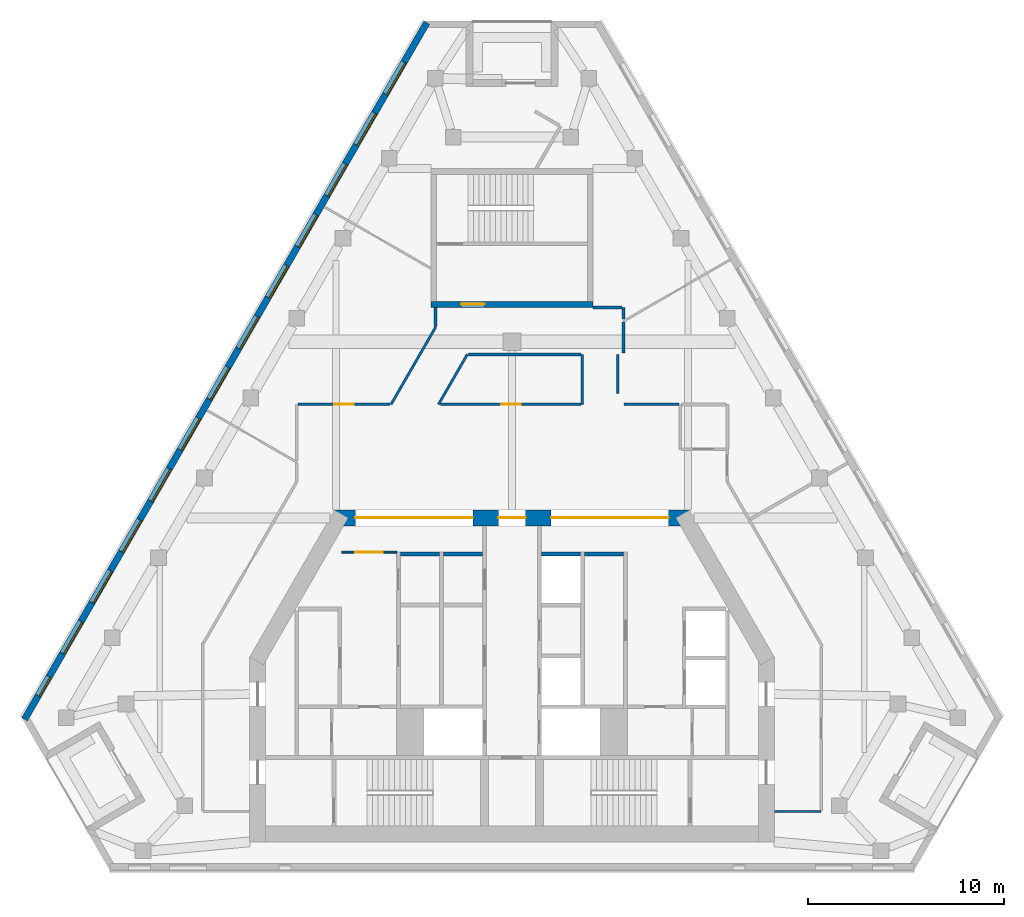
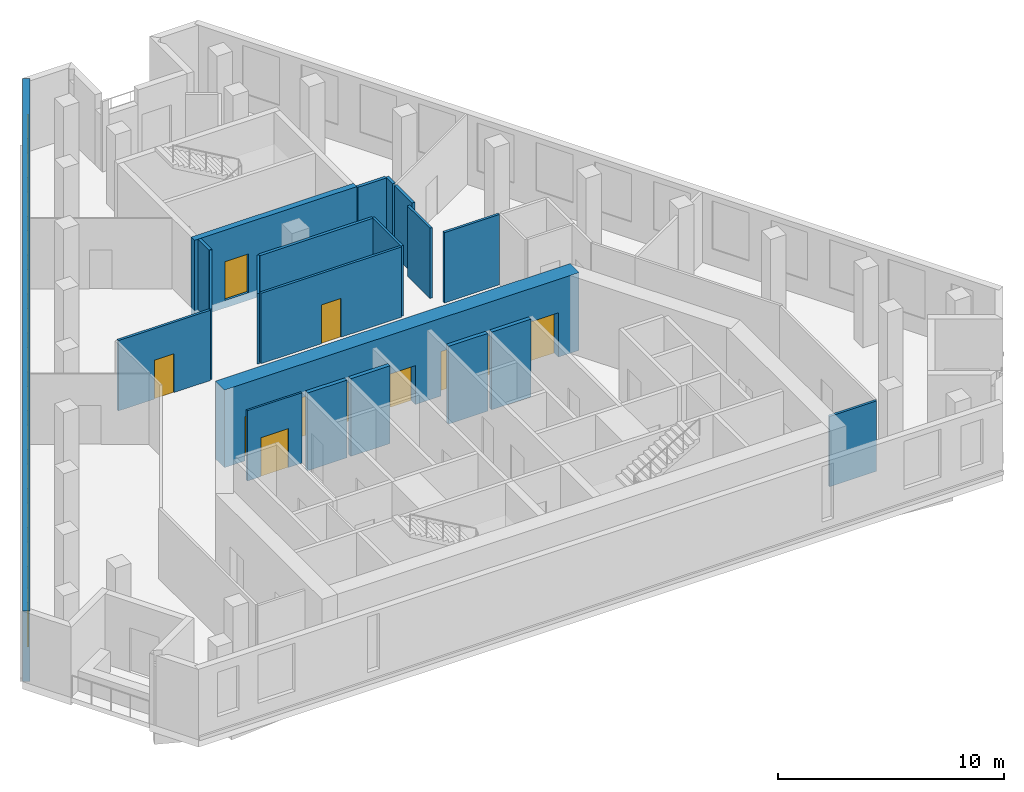
# One storey, part 4 of 8: 21 walls, 13 windows, 7 doors, 20 openings.
"""IFC4 building model written with IfcOpenShell, lengths in metres."""

from ifc_helpers import new_model, si_unit, direction, frame, frame_2d, origin, place, context, subcontext, project, spatial, rectangle, extrude, material, layer, layer_set, type_object, element, fill, save


model = new_model("IFC4")

# Units and contexts
model_context = context("Model", 3, precision=1e-05, world=origin(), true_north=direction((0.0, 1.0)))
body_context = subcontext(model_context, "Body", "Model", "MODEL_VIEW")
ifc_project = project(units=[si_unit("LENGTHUNIT", "METRE"), si_unit("AREAUNIT", "SQUARE_METRE"), si_unit("VOLUMEUNIT", "CUBIC_METRE"), si_unit("PLANEANGLEUNIT", "RADIAN"), si_unit("MASSUNIT", "GRAM", prefix="KILO")], contexts=[model_context])

# Site, building, storey
site_placement = place(None, origin())
site = spatial("IfcSite", under=ifc_project, at=site_placement, CompositionType="ELEMENT")
building_placement = place(site_placement, origin())
building = spatial("IfcBuilding", under=site, at=building_placement, Name="Fogline Exchange Tower", CompositionType="ELEMENT")
storey_placement = place(building_placement, frame((0.0, 0.0, 296.10009765625)))
storey = spatial("IfcBuildingStorey", under=building, at=storey_placement, Name="L67", CompositionType="ELEMENT", Elevation=296.10009765625)

# Wall, opening, door
ifc_material_1 = material(Name="Blockwork partition", Category="masonry")
ifc_layer_1 = layer(ifc_material_1, 0.10009765625)
ifc_layer_set_1 = layer_set([ifc_layer_1], Name="CW10")
wall_type_1 = type_object("IfcWallType", Name="CW10", PredefinedType="PARTITIONING", material=ifc_layer_set_1)
wall_1_placement = place(storey_placement, frame((-8.699951171875, 16.25, 0.0), z_axis=(0.0, 0.0, 1.0), x_axis=(1.0, 0.0, 0.0)))
wall_1 = element("IfcWall", 1, at=wall_1_placement, inside=storey, type_object=wall_type_1, Name="Lift lobby partition", PredefinedType="PARTITIONING", context=body_context, shape_type="SweptSolid", body=[
    extrude(rectangle(XDim=2.800048828125, YDim=0.10009765625, at=frame_2d((1.39990234375, 0.0))), origin(), (0.0, 0.0, 1.0), 3.7998046875),
])
opening_1_placement = place(wall_1_placement, frame((0.699951171875, 0.0, 0.0)))
opening_1 = element("IfcOpeningElement", 2, at=opening_1_placement, cuts=wall_1, Name="Opening T21-C009", PredefinedType="OPENING", context=body_context, shape_type="SweptSolid", body=[
    extrude(rectangle(XDim=1.39990234375, YDim=2.10009765625, at=frame_2d((0.699951171875, 1.050048828125))), frame((0.0, 0.06005859375, 0.0), z_axis=(0.0, -1.0, 0.0), x_axis=(1.0, 0.0, 0.0)), (0.0, 0.0, 1.0), 0.1201171875),
])
ifc_material_2 = material(Name="Steel and timber fire door", Category="steel")
door_type_1 = type_object("IfcDoorType", Name="D-LB1", OperationType="DOUBLE_DOOR_SINGLE_SWING", PredefinedType="DOOR", material=ifc_material_2)
door_1_placement = place(opening_1_placement, origin())
door_1 = element("IfcDoor", 3, at=door_1_placement, inside=storey, type_object=door_type_1, Name="Door to lift lobby", OperationType="DOUBLE_DOOR_SINGLE_SWING", OverallHeight=2.10009765625, OverallWidth=1.39990234375, PredefinedType="DOOR", context=body_context, shape_type="SweptSolid", body=[
    extrude(rectangle(XDim=1.39990234375, YDim=2.10009765625, at=frame_2d((0.699951171875, 1.050048828125))), frame((0.0, 0.02490234375, 0.0), z_axis=(0.0, -1.0, 0.0), x_axis=(1.0, 0.0, 0.0)), (0.0, 0.0, 1.0), 0.050048828125),
])
fill(opening_1, door_1)

# Walls
ifc_material_3 = material(Name="Concrete C40", Category="concrete")
ifc_layer_2 = layer(ifc_material_3, 0.199951171875)
ifc_layer_set_2 = layer_set([ifc_layer_2], Name="CW20S")
wall_type_2 = type_object("IfcWallType", Name="CW20S", PredefinedType="SOLIDWALL", material=ifc_layer_set_2)
for number, where, z_axis, x_axis, name in (
    (4, (-5.699951171875, 16.14990234375, -0.400146484375), (0.0, 0.0, 1.0), (1.0, 0.0, 0.0), "Lift shaft wall"),
    (5, (-3.5, 16.14990234375, -0.400146484375), (0.0, 0.0, 1.0), (1.0, 0.0, 0.0), "Lift shaft wall"),
    (6, (3.699951171875, 16.14990234375, -0.400146484375), (0.0, 0.0, 1.0), (1.0, 0.0, 0.0), "Lift shaft wall"),
    (7, (1.5, 16.14990234375, -0.400146484375), (0.0, 0.0, 1.0), (1.0, 0.0, 0.0), "Lift shaft wall"),
):
    element("IfcWall", number, at=place(storey_placement, frame(where, z_axis=z_axis, x_axis=x_axis)), inside=storey, type_object=wall_type_2, Name=name, PredefinedType="SOLIDWALL", context=body_context, shape_type="SweptSolid", body=[
        extrude(rectangle(XDim=2.0, YDim=0.199951171875, at=frame_2d((1.0, 0.0))), origin(), (0.0, 0.0, 1.0), 4.199951171875),
    ])

# Wall, opening, door
ifc_layer_3 = layer(ifc_material_3, 0.300048828125)
ifc_layer_set_3 = layer_set([ifc_layer_3], Name="CW30")
wall_type_3 = type_object("IfcWallType", Name="CW30", PredefinedType="SOLIDWALL", material=ifc_layer_set_3)
wall_2_placement = place(storey_placement, frame((-4.14990234375, 28.906982421875, -0.400146484375), z_axis=(0.0, 0.0, 1.0), x_axis=(1.0, 0.0, 0.0)))
wall_2 = element("IfcWall", 8, at=wall_2_placement, inside=storey, type_object=wall_type_3, Name="Stair enclosure wall ST3", PredefinedType="SOLIDWALL", context=body_context, shape_type="SweptSolid", body=[
    extrude(rectangle(XDim=8.2998046875, YDim=0.300048828125, at=frame_2d((4.14990234375, 0.0))), origin(), (0.0, 0.0, 1.0), 4.199951171875),
])
opening_2_placement = place(wall_2_placement, frame((1.550048828125, 0.0, 0.39990234375)))
opening_2 = element("IfcOpeningElement", 9, at=opening_2_placement, cuts=wall_2, Name="Opening T21-C023", PredefinedType="OPENING", context=body_context, shape_type="SweptSolid", body=[
    extrude(rectangle(XDim=1.199951171875, YDim=2.10009765625, at=frame_2d((0.60009765625, 1.050048828125))), frame((0.0, 0.16015625, 0.0), z_axis=(0.0, -1.0, 0.0), x_axis=(1.0, 0.0, 0.0)), (0.0, 0.0, 1.0), 0.320068359375),
])
door_type_2 = type_object("IfcDoorType", Name="D-FR1", OperationType="SINGLE_SWING_RIGHT", PredefinedType="DOOR", material=ifc_material_2)
door_2_placement = place(opening_2_placement, origin())
door_2 = element("IfcDoor", 10, at=door_2_placement, inside=storey, type_object=door_type_2, Name="Front room door ST3", OperationType="SINGLE_SWING_LEFT", OverallHeight=2.10009765625, OverallWidth=1.199951171875, PredefinedType="DOOR", context=body_context, shape_type="SweptSolid", body=[
    extrude(rectangle(XDim=1.199951171875, YDim=2.10009765625, at=frame_2d((0.60009765625, 1.050048828125))), frame((0.0, 0.02490234375, 0.0), z_axis=(0.0, -1.0, 0.0), x_axis=(1.0, 0.0, 0.0)), (0.0, 0.0, 1.0), 0.050048828125),
])
fill(opening_2, door_2)

# Wall, openings, windows
ifc_material_4 = material(Name="Brick masonry", Category="masonry")
ifc_layer_4 = layer(ifc_material_4, 0.340087890625)
ifc_layer_set_4 = layer_set([ifc_layer_4], Name="FW1")
wall_type_4 = type_object("IfcWallType", Name="FW1", PredefinedType="SOLIDWALL", material=ifc_layer_set_4)
wall_3_placement = place(storey_placement, frame((-4.352783203125, 43.306640625, 0.0), z_axis=(0.0, 0.0, 1.0), x_axis=(-0.50000128873, -0.866024659735, 0.0)))
wall_3 = element("IfcWall", 11, at=wall_3_placement, inside=storey, type_object=wall_type_4, Name="Brick wall L67 W", PredefinedType="SOLIDWALL", context=body_context, shape_type="SweptSolid", body=[
    extrude(rectangle(XDim=41.1044921875, YDim=0.340087890625, at=frame_2d((20.55224609375, 0.0))), origin(), (0.0, 0.0, 1.0), 3.7998046875),
])
opening_3_placement = place(wall_3_placement, frame((2.328369140625, 0.0, 0.89990234375)))
opening_3 = element("IfcOpeningElement", 12, at=opening_3_placement, cuts=wall_3, Name="Opening W3", PredefinedType="OPENING", context=body_context, shape_type="SweptSolid", body=[
    extrude(rectangle(XDim=1.885009765625, YDim=2.60009765625, at=frame_2d((0.9423828125, 1.300048828125))), frame((0.0, 0.18017578125, 0.0), z_axis=(0.0, -1.0, 0.0), x_axis=(1.0, 0.0, 0.0)), (0.0, 0.0, 1.0), 0.360107421875),
])
opening_4_placement = place(wall_3_placement, frame((5.328369140625, 0.0, 0.89990234375)))
opening_4 = element("IfcOpeningElement", 13, at=opening_4_placement, cuts=wall_3, Name="Opening W3", PredefinedType="OPENING", context=body_context, shape_type="SweptSolid", body=[
    extrude(rectangle(XDim=1.885009765625, YDim=2.60009765625, at=frame_2d((0.9423828125, 1.300048828125))), frame((0.0, 0.18017578125, 0.0), z_axis=(0.0, -1.0, 0.0), x_axis=(1.0, 0.0, 0.0)), (0.0, 0.0, 1.0), 0.360107421875),
])
opening_5_placement = place(wall_3_placement, frame((8.328369140625, 0.0, 0.89990234375)))
opening_5 = element("IfcOpeningElement", 14, at=opening_5_placement, cuts=wall_3, Name="Opening W3", PredefinedType="OPENING", context=body_context, shape_type="SweptSolid", body=[
    extrude(rectangle(XDim=1.885009765625, YDim=2.60009765625, at=frame_2d((0.9423828125, 1.300048828125))), frame((0.0, 0.18017578125, 0.0), z_axis=(0.0, -1.0, 0.0), x_axis=(1.0, 0.0, 0.0)), (0.0, 0.0, 1.0), 0.360107421875),
])
opening_6_placement = place(wall_3_placement, frame((11.328369140625, 0.0, 0.89990234375)))
opening_6 = element("IfcOpeningElement", 15, at=opening_6_placement, cuts=wall_3, Name="Opening W3", PredefinedType="OPENING", context=body_context, shape_type="SweptSolid", body=[
    extrude(rectangle(XDim=1.885009765625, YDim=2.60009765625, at=frame_2d((0.9423828125, 1.300048828125))), frame((0.0, 0.18017578125, 0.0), z_axis=(0.0, -1.0, 0.0), x_axis=(1.0, 0.0, 0.0)), (0.0, 0.0, 1.0), 0.360107421875),
])
opening_7_placement = place(wall_3_placement, frame((14.328369140625, 0.0, 0.89990234375)))
opening_7 = element("IfcOpeningElement", 16, at=opening_7_placement, cuts=wall_3, Name="Opening W3", PredefinedType="OPENING", context=body_context, shape_type="SweptSolid", body=[
    extrude(rectangle(XDim=1.885009765625, YDim=2.60009765625, at=frame_2d((0.9423828125, 1.300048828125))), frame((0.0, 0.18017578125, 0.0), z_axis=(0.0, -1.0, 0.0), x_axis=(1.0, 0.0, 0.0)), (0.0, 0.0, 1.0), 0.360107421875),
])
opening_8_placement = place(wall_3_placement, frame((17.328369140625, 0.0, 0.89990234375)))
opening_8 = element("IfcOpeningElement", 17, at=opening_8_placement, cuts=wall_3, Name="Opening W3", PredefinedType="OPENING", context=body_context, shape_type="SweptSolid", body=[
    extrude(rectangle(XDim=1.885009765625, YDim=2.60009765625, at=frame_2d((0.9423828125, 1.300048828125))), frame((0.0, 0.18017578125, 0.0), z_axis=(0.0, -1.0, 0.0), x_axis=(1.0, 0.0, 0.0)), (0.0, 0.0, 1.0), 0.360107421875),
])
opening_9_placement = place(wall_3_placement, frame((20.328369140625, 0.0, 0.89990234375)))
opening_9 = element("IfcOpeningElement", 18, at=opening_9_placement, cuts=wall_3, Name="Opening W3", PredefinedType="OPENING", context=body_context, shape_type="SweptSolid", body=[
    extrude(rectangle(XDim=1.885009765625, YDim=2.60009765625, at=frame_2d((0.9423828125, 1.300048828125))), frame((0.0, 0.18017578125, 0.0), z_axis=(0.0, -1.0, 0.0), x_axis=(1.0, 0.0, 0.0)), (0.0, 0.0, 1.0), 0.360107421875),
])
opening_10_placement = place(wall_3_placement, frame((23.328369140625, 0.0, 0.89990234375)))
opening_10 = element("IfcOpeningElement", 19, at=opening_10_placement, cuts=wall_3, Name="Opening W3", PredefinedType="OPENING", context=body_context, shape_type="SweptSolid", body=[
    extrude(rectangle(XDim=1.885009765625, YDim=2.60009765625, at=frame_2d((0.9423828125, 1.300048828125))), frame((0.0, 0.18017578125, 0.0), z_axis=(0.0, -1.0, 0.0), x_axis=(1.0, 0.0, 0.0)), (0.0, 0.0, 1.0), 0.360107421875),
])
opening_11_placement = place(wall_3_placement, frame((26.328369140625, 0.0, 0.89990234375)))
opening_11 = element("IfcOpeningElement", 20, at=opening_11_placement, cuts=wall_3, Name="Opening W3", PredefinedType="OPENING", context=body_context, shape_type="SweptSolid", body=[
    extrude(rectangle(XDim=1.885009765625, YDim=2.60009765625, at=frame_2d((0.9423828125, 1.300048828125))), frame((0.0, 0.18017578125, 0.0), z_axis=(0.0, -1.0, 0.0), x_axis=(1.0, 0.0, 0.0)), (0.0, 0.0, 1.0), 0.360107421875),
])
opening_12_placement = place(wall_3_placement, frame((29.328369140625, 0.0, 0.89990234375)))
opening_12 = element("IfcOpeningElement", 21, at=opening_12_placement, cuts=wall_3, Name="Opening W3", PredefinedType="OPENING", context=body_context, shape_type="SweptSolid", body=[
    extrude(rectangle(XDim=1.885009765625, YDim=2.60009765625, at=frame_2d((0.9423828125, 1.300048828125))), frame((0.0, 0.18017578125, 0.0), z_axis=(0.0, -1.0, 0.0), x_axis=(1.0, 0.0, 0.0)), (0.0, 0.0, 1.0), 0.360107421875),
])
opening_13_placement = place(wall_3_placement, frame((32.328369140625, 0.0, 0.89990234375)))
opening_13 = element("IfcOpeningElement", 22, at=opening_13_placement, cuts=wall_3, Name="Opening W3", PredefinedType="OPENING", context=body_context, shape_type="SweptSolid", body=[
    extrude(rectangle(XDim=1.885009765625, YDim=2.60009765625, at=frame_2d((0.9423828125, 1.300048828125))), frame((0.0, 0.18017578125, 0.0), z_axis=(0.0, -1.0, 0.0), x_axis=(1.0, 0.0, 0.0)), (0.0, 0.0, 1.0), 0.360107421875),
])
opening_14_placement = place(wall_3_placement, frame((35.328369140625, 0.0, 0.89990234375)))
opening_14 = element("IfcOpeningElement", 23, at=opening_14_placement, cuts=wall_3, Name="Opening W3", PredefinedType="OPENING", context=body_context, shape_type="SweptSolid", body=[
    extrude(rectangle(XDim=1.885009765625, YDim=2.60009765625, at=frame_2d((0.9423828125, 1.300048828125))), frame((0.0, 0.18017578125, 0.0), z_axis=(0.0, -1.0, 0.0), x_axis=(1.0, 0.0, 0.0)), (0.0, 0.0, 1.0), 0.360107421875),
])
opening_15_placement = place(wall_3_placement, frame((38.601318359375, 0.0, 0.89990234375)))
opening_15 = element("IfcOpeningElement", 24, at=opening_15_placement, cuts=wall_3, Name="Opening W4", PredefinedType="OPENING", context=body_context, shape_type="SweptSolid", body=[
    extrude(rectangle(XDim=1.114990234375, YDim=2.39990234375, at=frame_2d((0.5576171875, 1.199951171875))), frame((0.0, 0.18017578125, 0.0), z_axis=(0.0, -1.0, 0.0), x_axis=(1.0, 0.0, 0.0)), (0.0, 0.0, 1.0), 0.360107421875),
])
ifc_material_5 = material(Name="Aluminium and glass", Category="aluminium")
window_type_1 = type_object("IfcWindowType", Name="W3", PartitioningType="SINGLE_PANEL", PredefinedType="WINDOW", material=ifc_material_5)
window_1_placement = place(opening_3_placement, origin())
window_1 = element("IfcWindow", 25, at=window_1_placement, inside=storey, type_object=window_type_1, Name="W3 W3", OverallHeight=2.60009765625, OverallWidth=1.885009765625, PartitioningType="SINGLE_PANEL", PredefinedType="WINDOW", context=body_context, shape_type="SweptSolid", body=[
    extrude(rectangle(XDim=1.885009765625, YDim=2.60009765625, at=frame_2d((0.9423828125, 1.300048828125))), frame((0.0, 0.110107421875, 0.0), z_axis=(0.0, -1.0, 0.0), x_axis=(1.0, 0.0, 0.0)), (0.0, 0.0, 1.0), 0.06005859375),
])
fill(opening_3, window_1)
window_2_placement = place(opening_4_placement, origin())
window_2 = element("IfcWindow", 26, at=window_2_placement, inside=storey, type_object=window_type_1, Name="W3 W3", OverallHeight=2.60009765625, OverallWidth=1.885009765625, PartitioningType="SINGLE_PANEL", PredefinedType="WINDOW", context=body_context, shape_type="SweptSolid", body=[
    extrude(rectangle(XDim=1.885009765625, YDim=2.60009765625, at=frame_2d((0.9423828125, 1.300048828125))), frame((0.0, 0.110107421875, 0.0), z_axis=(0.0, -1.0, 0.0), x_axis=(1.0, 0.0, 0.0)), (0.0, 0.0, 1.0), 0.06005859375),
])
fill(opening_4, window_2)
window_3_placement = place(opening_5_placement, origin())
window_3 = element("IfcWindow", 27, at=window_3_placement, inside=storey, type_object=window_type_1, Name="W3 W3", OverallHeight=2.60009765625, OverallWidth=1.885009765625, PartitioningType="SINGLE_PANEL", PredefinedType="WINDOW", context=body_context, shape_type="SweptSolid", body=[
    extrude(rectangle(XDim=1.885009765625, YDim=2.60009765625, at=frame_2d((0.9423828125, 1.300048828125))), frame((0.0, 0.110107421875, 0.0), z_axis=(0.0, -1.0, 0.0), x_axis=(1.0, 0.0, 0.0)), (0.0, 0.0, 1.0), 0.06005859375),
])
fill(opening_5, window_3)
window_4_placement = place(opening_6_placement, origin())
window_4 = element("IfcWindow", 28, at=window_4_placement, inside=storey, type_object=window_type_1, Name="W3 W3", OverallHeight=2.60009765625, OverallWidth=1.885009765625, PartitioningType="SINGLE_PANEL", PredefinedType="WINDOW", context=body_context, shape_type="SweptSolid", body=[
    extrude(rectangle(XDim=1.885009765625, YDim=2.60009765625, at=frame_2d((0.9423828125, 1.300048828125))), frame((0.0, 0.110107421875, 0.0), z_axis=(0.0, -1.0, 0.0), x_axis=(1.0, 0.0, 0.0)), (0.0, 0.0, 1.0), 0.06005859375),
])
fill(opening_6, window_4)
window_5_placement = place(opening_7_placement, origin())
window_5 = element("IfcWindow", 29, at=window_5_placement, inside=storey, type_object=window_type_1, Name="W3 W3", OverallHeight=2.60009765625, OverallWidth=1.885009765625, PartitioningType="SINGLE_PANEL", PredefinedType="WINDOW", context=body_context, shape_type="SweptSolid", body=[
    extrude(rectangle(XDim=1.885009765625, YDim=2.60009765625, at=frame_2d((0.9423828125, 1.300048828125))), frame((0.0, 0.110107421875, 0.0), z_axis=(0.0, -1.0, 0.0), x_axis=(1.0, 0.0, 0.0)), (0.0, 0.0, 1.0), 0.06005859375),
])
fill(opening_7, window_5)
window_6_placement = place(opening_8_placement, origin())
window_6 = element("IfcWindow", 30, at=window_6_placement, inside=storey, type_object=window_type_1, Name="W3 W3", OverallHeight=2.60009765625, OverallWidth=1.885009765625, PartitioningType="SINGLE_PANEL", PredefinedType="WINDOW", context=body_context, shape_type="SweptSolid", body=[
    extrude(rectangle(XDim=1.885009765625, YDim=2.60009765625, at=frame_2d((0.9423828125, 1.300048828125))), frame((0.0, 0.110107421875, 0.0), z_axis=(0.0, -1.0, 0.0), x_axis=(1.0, 0.0, 0.0)), (0.0, 0.0, 1.0), 0.06005859375),
])
fill(opening_8, window_6)
window_7_placement = place(opening_9_placement, origin())
window_7 = element("IfcWindow", 31, at=window_7_placement, inside=storey, type_object=window_type_1, Name="W3 W3", OverallHeight=2.60009765625, OverallWidth=1.885009765625, PartitioningType="SINGLE_PANEL", PredefinedType="WINDOW", context=body_context, shape_type="SweptSolid", body=[
    extrude(rectangle(XDim=1.885009765625, YDim=2.60009765625, at=frame_2d((0.9423828125, 1.300048828125))), frame((0.0, 0.110107421875, 0.0), z_axis=(0.0, -1.0, 0.0), x_axis=(1.0, 0.0, 0.0)), (0.0, 0.0, 1.0), 0.06005859375),
])
fill(opening_9, window_7)
window_8_placement = place(opening_10_placement, origin())
window_8 = element("IfcWindow", 32, at=window_8_placement, inside=storey, type_object=window_type_1, Name="W3 W3", OverallHeight=2.60009765625, OverallWidth=1.885009765625, PartitioningType="SINGLE_PANEL", PredefinedType="WINDOW", context=body_context, shape_type="SweptSolid", body=[
    extrude(rectangle(XDim=1.885009765625, YDim=2.60009765625, at=frame_2d((0.9423828125, 1.300048828125))), frame((0.0, 0.110107421875, 0.0), z_axis=(0.0, -1.0, 0.0), x_axis=(1.0, 0.0, 0.0)), (0.0, 0.0, 1.0), 0.06005859375),
])
fill(opening_10, window_8)
window_9_placement = place(opening_11_placement, origin())
window_9 = element("IfcWindow", 33, at=window_9_placement, inside=storey, type_object=window_type_1, Name="W3 W3", OverallHeight=2.60009765625, OverallWidth=1.885009765625, PartitioningType="SINGLE_PANEL", PredefinedType="WINDOW", context=body_context, shape_type="SweptSolid", body=[
    extrude(rectangle(XDim=1.885009765625, YDim=2.60009765625, at=frame_2d((0.9423828125, 1.300048828125))), frame((0.0, 0.110107421875, 0.0), z_axis=(0.0, -1.0, 0.0), x_axis=(1.0, 0.0, 0.0)), (0.0, 0.0, 1.0), 0.06005859375),
])
fill(opening_11, window_9)
window_10_placement = place(opening_12_placement, origin())
window_10 = element("IfcWindow", 34, at=window_10_placement, inside=storey, type_object=window_type_1, Name="W3 W3", OverallHeight=2.60009765625, OverallWidth=1.885009765625, PartitioningType="SINGLE_PANEL", PredefinedType="WINDOW", context=body_context, shape_type="SweptSolid", body=[
    extrude(rectangle(XDim=1.885009765625, YDim=2.60009765625, at=frame_2d((0.9423828125, 1.300048828125))), frame((0.0, 0.110107421875, 0.0), z_axis=(0.0, -1.0, 0.0), x_axis=(1.0, 0.0, 0.0)), (0.0, 0.0, 1.0), 0.06005859375),
])
fill(opening_12, window_10)
window_11_placement = place(opening_13_placement, origin())
window_11 = element("IfcWindow", 35, at=window_11_placement, inside=storey, type_object=window_type_1, Name="W3 W3", OverallHeight=2.60009765625, OverallWidth=1.885009765625, PartitioningType="SINGLE_PANEL", PredefinedType="WINDOW", context=body_context, shape_type="SweptSolid", body=[
    extrude(rectangle(XDim=1.885009765625, YDim=2.60009765625, at=frame_2d((0.9423828125, 1.300048828125))), frame((0.0, 0.110107421875, 0.0), z_axis=(0.0, -1.0, 0.0), x_axis=(1.0, 0.0, 0.0)), (0.0, 0.0, 1.0), 0.06005859375),
])
fill(opening_13, window_11)
window_12_placement = place(opening_14_placement, origin())
window_12 = element("IfcWindow", 36, at=window_12_placement, inside=storey, type_object=window_type_1, Name="W3 W3", OverallHeight=2.60009765625, OverallWidth=1.885009765625, PartitioningType="SINGLE_PANEL", PredefinedType="WINDOW", context=body_context, shape_type="SweptSolid", body=[
    extrude(rectangle(XDim=1.885009765625, YDim=2.60009765625, at=frame_2d((0.9423828125, 1.300048828125))), frame((0.0, 0.110107421875, 0.0), z_axis=(0.0, -1.0, 0.0), x_axis=(1.0, 0.0, 0.0)), (0.0, 0.0, 1.0), 0.06005859375),
])
fill(opening_14, window_12)
window_type_2 = type_object("IfcWindowType", Name="W4", PartitioningType="SINGLE_PANEL", PredefinedType="WINDOW", material=ifc_material_5)
window_13_placement = place(opening_15_placement, origin())
window_13 = element("IfcWindow", 37, at=window_13_placement, inside=storey, type_object=window_type_2, Name="W4 W4", OverallHeight=2.39990234375, OverallWidth=1.114990234375, PartitioningType="SINGLE_PANEL", PredefinedType="WINDOW", context=body_context, shape_type="SweptSolid", body=[
    extrude(rectangle(XDim=1.114990234375, YDim=2.39990234375, at=frame_2d((0.5576171875, 1.199951171875))), frame((0.0, 0.110107421875, 0.0), z_axis=(0.0, -1.0, 0.0), x_axis=(1.0, 0.0, 0.0)), (0.0, 0.0, 1.0), 0.06005859375),
])
fill(opening_15, window_13)

# Walls
ifc_material_6 = material(Name="Plasterboard corridor partition with mineral wool, 2 layers each side")
ifc_layer_5 = layer(ifc_material_6, 0.125)
ifc_layer_set_5 = layer_set([ifc_layer_5], Name="PW2")
wall_type_5 = type_object("IfcWallType", Name="PW2", PredefinedType="PARTITIONING", material=ifc_layer_set_5)
wall_4_placement = place(storey_placement, frame((15.800048828125, 3.0, 0.0), z_axis=(0.0, 0.0, 1.0), x_axis=(-1.0, 0.0, 0.0)))
element("IfcWall", 38, at=wall_4_placement, inside=storey, type_object=wall_type_5, Name="wall-L67-W004", PredefinedType="PARTITIONING", context=body_context, shape_type="SweptSolid", body=[
    extrude(rectangle(XDim=2.400146484375, YDim=0.125, at=frame_2d((1.2001953125, 0.0))), origin(), (0.0, 0.0, 1.0), 3.7998046875),
])
wall_5_placement = place(storey_placement, frame((5.71923828125, 23.800048828125, 0.0), z_axis=(0.0, 0.0, 1.0), x_axis=(1.0, 0.0, 0.0)))
element("IfcWall", 39, at=wall_5_placement, inside=storey, type_object=wall_type_5, Name="wall-L67-W007", PredefinedType="PARTITIONING", context=body_context, shape_type="SweptSolid", body=[
    extrude(rectangle(XDim=2.81787109375, YDim=0.125, at=frame_2d((1.408935546875, 0.0))), origin(), (0.0, 0.0, 1.0), 3.7998046875),
])

# Wall, opening, door
wall_6_placement = place(storey_placement, frame((-3.6474609375, 23.800048828125, 0.0), z_axis=(0.0, 0.0, 1.0), x_axis=(1.0, 0.0, 0.0)))
wall_6 = element("IfcWall", 40, at=wall_6_placement, inside=storey, type_object=wall_type_5, Name="wall-L67-W009", PredefinedType="PARTITIONING", context=body_context, shape_type="SweptSolid", body=[
    extrude(rectangle(XDim=7.18505859375, YDim=0.125, at=frame_2d((3.592529296875, 0.0))), origin(), (0.0, 0.0, 1.0), 3.7998046875),
])
opening_16_placement = place(wall_6_placement, frame((3.092529296875, 0.0, 0.0)))
opening_16 = element("IfcOpeningElement", 41, at=opening_16_placement, cuts=wall_6, Name="Opening T21-D004", PredefinedType="OPENING", context=body_context, shape_type="SweptSolid", body=[
    extrude(rectangle(XDim=1.0, YDim=2.10009765625, at=frame_2d((0.5, 1.050048828125))), frame((0.0, 0.072509765625, 0.0), z_axis=(0.0, -1.0, 0.0), x_axis=(1.0, 0.0, 0.0)), (0.0, 0.0, 1.0), 0.14501953125),
])
ifc_material_7 = material(Name="Fire-rated timber door leaf with steel frame", Category="steel")
door_type_3 = type_object("IfcDoorType", Name="D3", OperationType="SINGLE_SWING_LEFT", PredefinedType="DOOR", material=ifc_material_7)
door_3_placement = place(opening_16_placement, origin())
door_3 = element("IfcDoor", 42, at=door_3_placement, inside=storey, type_object=door_type_3, Name="door-L67-D004", OperationType="SINGLE_SWING_LEFT", OverallHeight=2.10009765625, OverallWidth=1.0, PredefinedType="DOOR", context=body_context, shape_type="SweptSolid", body=[
    extrude(rectangle(XDim=1.0, YDim=2.10009765625, at=frame_2d((0.5, 1.050048828125))), frame((0.0, 0.02490234375, 0.0), z_axis=(0.0, -1.0, 0.0), x_axis=(1.0, 0.0, 0.0)), (0.0, 0.0, 1.0), 0.050048828125),
])
fill(opening_16, door_3)

wall_7_placement = place(storey_placement, frame((-10.9375, 23.800048828125, 0.0), z_axis=(0.0, 0.0, 1.0), x_axis=(1.0, 0.0, 0.0)))
wall_7 = element("IfcWall", 43, at=wall_7_placement, inside=storey, type_object=wall_type_5, Name="wall-L67-W011", PredefinedType="PARTITIONING", context=body_context, shape_type="SweptSolid", body=[
    extrude(rectangle(XDim=4.70263671875, YDim=0.125, at=frame_2d((2.351318359375, 0.0))), origin(), (0.0, 0.0, 1.0), 3.7998046875),
])
opening_17_placement = place(wall_7_placement, frame((1.851318359375, 0.0, 0.0)))
opening_17 = element("IfcOpeningElement", 44, at=opening_17_placement, cuts=wall_7, Name="Opening T21-D005", PredefinedType="OPENING", context=body_context, shape_type="SweptSolid", body=[
    extrude(rectangle(XDim=1.0, YDim=2.10009765625, at=frame_2d((0.5, 1.050048828125))), frame((0.0, 0.072509765625, 0.0), z_axis=(0.0, -1.0, 0.0), x_axis=(1.0, 0.0, 0.0)), (0.0, 0.0, 1.0), 0.14501953125),
])
door_4_placement = place(opening_17_placement, origin())
door_4 = element("IfcDoor", 45, at=door_4_placement, inside=storey, type_object=door_type_3, Name="door-L67-D005", OperationType="SINGLE_SWING_LEFT", OverallHeight=2.10009765625, OverallWidth=1.0, PredefinedType="DOOR", context=body_context, shape_type="SweptSolid", body=[
    extrude(rectangle(XDim=1.0, YDim=2.10009765625, at=frame_2d((0.5, 1.050048828125))), frame((0.0, 0.02490234375, 0.0), z_axis=(0.0, -1.0, 0.0), x_axis=(1.0, 0.0, 0.0)), (0.0, 0.0, 1.0), 0.050048828125),
])
fill(opening_17, door_4)

# Walls
wall_8_placement = place(storey_placement, frame((5.39990234375, 26.35693359375, 0.0), z_axis=(0.0, 0.0, 1.0), x_axis=(0.0, -1.0, 0.0)))
element("IfcWall", 46, at=wall_8_placement, inside=storey, type_object=wall_type_5, Name="wall-L67-W021", PredefinedType="PARTITIONING", context=body_context, shape_type="SweptSolid", body=[
    extrude(rectangle(XDim=2.004150390625, YDim=0.125, at=frame_2d((1.001953125, 0.0))), origin(), (0.0, 0.0, 1.0), 3.7998046875),
])
wall_9_placement = place(storey_placement, frame((3.60009765625, 23.800048828125, 0.0), z_axis=(0.0, 0.0, 1.0), x_axis=(0.0, 1.0, 0.0)))
element("IfcWall", 47, at=wall_9_placement, inside=storey, type_object=wall_type_5, Name="wall-L67-W022", PredefinedType="PARTITIONING", context=body_context, shape_type="SweptSolid", body=[
    extrude(rectangle(XDim=2.556884765625, YDim=0.125, at=frame_2d((1.2783203125, 0.0))), origin(), (0.0, 0.0, 1.0), 3.7998046875),
])
wall_10_placement = place(storey_placement, frame((-2.27978515625, 26.35693359375, 0.0), z_axis=(0.0, 0.0, 1.0), x_axis=(-0.500025466029, -0.866010700467, 0.0)))
element("IfcWall", 48, at=wall_10_placement, inside=storey, type_object=wall_type_5, Name="wall-L67-W023", PredefinedType="PARTITIONING", context=body_context, shape_type="SweptSolid", body=[
    extrude(rectangle(XDim=2.952392578125, YDim=0.125, at=frame_2d((1.47607421875, 0.0))), origin(), (0.0, 0.0, 1.0), 3.7998046875),
])
wall_11_placement = place(storey_placement, frame((-6.180908203125, 23.800048828125, 0.0), z_axis=(0.0, 0.0, 1.0), x_axis=(0.49998958839, 0.866031414847, 0.0)))
element("IfcWall", 49, at=wall_11_placement, inside=storey, type_object=wall_type_5, Name="wall-L67-W024", PredefinedType="PARTITIONING", context=body_context, shape_type="SweptSolid", body=[
    extrude(rectangle(XDim=4.56201171875, YDim=0.125, at=frame_2d((2.281005859375, 0.0))), origin(), (0.0, 0.0, 1.0), 3.7998046875),
])
ifc_material_8 = material(Name="Plasterboard stair lobby partition, 3 layers each side on steel studs", Category="steel")
ifc_layer_6 = layer(ifc_material_8, 0.14990234375)
ifc_layer_set_6 = layer_set([ifc_layer_6], Name="PW4")
wall_type_6 = type_object("IfcWallType", Name="PW4", PredefinedType="PARTITIONING", material=ifc_layer_set_6)
wall_12_placement = place(storey_placement, frame((5.699951171875, 28.0068359375, 0.0), z_axis=(0.0, 0.0, 1.0), x_axis=(0.0, -1.0, 0.0)))
element("IfcWall", 50, at=wall_12_placement, inside=storey, type_object=wall_type_6, Name="wall-L67-W016", PredefinedType="PARTITIONING", context=body_context, shape_type="SweptSolid", body=[
    extrude(rectangle(XDim=1.574951171875, YDim=0.14990234375, at=frame_2d((0.78759765625, 0.0))), origin(), (0.0, 0.0, 1.0), 3.7998046875),
])
wall_13_placement = place(storey_placement, frame((4.14990234375, 28.757080078125, 0.0), z_axis=(0.0, 0.0, 1.0), x_axis=(1.0, 0.0, 0.0)))
element("IfcWall", 51, at=wall_13_placement, inside=storey, type_object=wall_type_6, Name="wall-L67-W017", PredefinedType="PARTITIONING", context=body_context, shape_type="SweptSolid", body=[
    extrude(rectangle(XDim=1.47509765625, YDim=0.14990234375, at=frame_2d((0.737548828125, 0.0))), origin(), (0.0, 0.0, 1.0), 3.7998046875),
])
wall_14_placement = place(storey_placement, frame((5.699951171875, 28.757080078125, 0.0), z_axis=(0.0, 0.0, 1.0), x_axis=(0.0, -1.0, 0.0)))
element("IfcWall", 52, at=wall_14_placement, inside=storey, type_object=wall_type_6, Name="wall-L67-W018", PredefinedType="PARTITIONING", context=body_context, shape_type="SweptSolid", body=[
    extrude(rectangle(XDim=0.60498046875, YDim=0.14990234375, at=frame_2d((0.302490234375, 0.0))), origin(), (0.0, 0.0, 1.0), 3.7998046875),
])
wall_15_placement = place(storey_placement, frame((3.53759765625, 26.35693359375, 0.0), z_axis=(0.0, 0.0, 1.0), x_axis=(-1.0, 0.0, 0.0)))
element("IfcWall", 53, at=wall_15_placement, inside=storey, type_object=wall_type_6, Name="wall-L67-W019", PredefinedType="PARTITIONING", context=body_context, shape_type="SweptSolid", body=[
    extrude(rectangle(XDim=5.763671875, YDim=0.14990234375, at=frame_2d((2.8818359375, 0.0))), origin(), (0.0, 0.0, 1.0), 3.7998046875),
])
wall_16_placement = place(storey_placement, frame((-3.89990234375, 27.781982421875, 0.0), z_axis=(0.0, 0.0, 1.0), x_axis=(0.0, 1.0, 0.0)))
element("IfcWall", 54, at=wall_16_placement, inside=storey, type_object=wall_type_6, Name="wall-L67-W020", PredefinedType="PARTITIONING", context=body_context, shape_type="SweptSolid", body=[
    extrude(rectangle(XDim=0.97509765625, YDim=0.14990234375, at=frame_2d((0.487548828125, 0.0))), origin(), (0.0, 0.0, 1.0), 3.7998046875),
])

# Wall, openings, doors
ifc_material_9 = material(Name="Concrete C50", Category="concrete")
ifc_layer_7 = layer(ifc_material_9, 0.800048828125)
ifc_layer_set_7 = layer_set([ifc_layer_7], Name="SW04")
wall_type_7 = type_object("IfcWallType", Name="SW04", PredefinedType="SHEAR", material=ifc_layer_set_7)
wall_17_placement = place(storey_placement, frame((9.065185546875, 18.0, 0.0), z_axis=(0.0, 0.0, 1.0), x_axis=(-1.0, 0.0, 0.0)))
wall_17 = element("IfcWall", 55, at=wall_17_placement, inside=storey, type_object=wall_type_7, Name="L67-W904", PredefinedType="SHEAR", context=body_context, shape_type="SweptSolid", body=[
    extrude(rectangle(XDim=18.13037109375, YDim=0.800048828125, at=frame_2d((9.065185546875, 0.0))), origin(), (0.0, 0.0, 1.0), 4.199951171875),
])
opening_18_placement = place(wall_17_placement, frame((8.364990234375, 0.0, 0.0)))
opening_18 = element("IfcOpeningElement", 56, at=opening_18_placement, cuts=wall_17, Name="Opening T21-C020", PredefinedType="OPENING", context=body_context, shape_type="SweptSolid", body=[
    extrude(rectangle(XDim=1.39990234375, YDim=2.10009765625, at=frame_2d((0.699951171875, 1.050048828125))), frame((0.0, 0.41015625, 0.0), z_axis=(0.0, -1.0, 0.0), x_axis=(1.0, 0.0, 0.0)), (0.0, 0.0, 1.0), 0.820068359375),
])
opening_19_placement = place(wall_17_placement, frame((11.065185546875, 0.0, 0.0)))
opening_19 = element("IfcOpeningElement", 57, at=opening_19_placement, cuts=wall_17, Name="Opening T21-C021", PredefinedType="OPENING", context=body_context, shape_type="SweptSolid", body=[
    extrude(rectangle(XDim=6.0, YDim=2.39990234375, at=frame_2d((3.0, 1.199951171875))), frame((0.0, 0.41015625, 0.0), z_axis=(0.0, -1.0, 0.0), x_axis=(1.0, 0.0, 0.0)), (0.0, 0.0, 1.0), 0.820068359375),
])
opening_20_placement = place(wall_17_placement, frame((1.065185546875, 0.0, 0.0)))
opening_20 = element("IfcOpeningElement", 58, at=opening_20_placement, cuts=wall_17, Name="Opening T21-C022", PredefinedType="OPENING", context=body_context, shape_type="SweptSolid", body=[
    extrude(rectangle(XDim=6.0, YDim=2.39990234375, at=frame_2d((3.0, 1.199951171875))), frame((0.0, 0.41015625, 0.0), z_axis=(0.0, -1.0, 0.0), x_axis=(1.0, 0.0, 0.0)), (0.0, 0.0, 1.0), 0.820068359375),
])
door_5_placement = place(opening_18_placement, origin())
door_5 = element("IfcDoor", 59, at=door_5_placement, inside=storey, type_object=door_type_1, Name="Protected lobby door", OperationType="DOUBLE_DOOR_SINGLE_SWING", OverallHeight=2.10009765625, OverallWidth=1.39990234375, PredefinedType="DOOR", context=body_context, shape_type="SweptSolid", body=[
    extrude(rectangle(XDim=1.39990234375, YDim=2.10009765625, at=frame_2d((0.699951171875, 1.050048828125))), frame((0.0, 0.02490234375, 0.0), z_axis=(0.0, -1.0, 0.0), x_axis=(1.0, 0.0, 0.0)), (0.0, 0.0, 1.0), 0.050048828125),
])
fill(opening_18, door_5)
door_type_4 = type_object("IfcDoorType", Name="D-LE1", OperationType="DOUBLE_DOOR_SLIDING", PredefinedType="DOOR", material=ifc_material_2)
door_6_placement = place(opening_19_placement, origin())
door_6 = element("IfcDoor", 60, at=door_6_placement, inside=storey, type_object=door_type_4, Name="Lift lobby entrance west", OperationType="DOUBLE_DOOR_SLIDING", OverallHeight=2.39990234375, OverallWidth=6.0, PredefinedType="DOOR", context=body_context, shape_type="SweptSolid", body=[
    extrude(rectangle(XDim=6.0, YDim=2.39990234375, at=frame_2d((3.0, 1.199951171875))), frame((0.0, 0.02490234375, 0.0), z_axis=(0.0, -1.0, 0.0), x_axis=(1.0, 0.0, 0.0)), (0.0, 0.0, 1.0), 0.050048828125),
])
fill(opening_19, door_6)
door_7_placement = place(opening_20_placement, origin())
door_7 = element("IfcDoor", 61, at=door_7_placement, inside=storey, type_object=door_type_4, Name="Lift lobby entrance east", OperationType="DOUBLE_DOOR_SLIDING", OverallHeight=2.39990234375, OverallWidth=6.0, PredefinedType="DOOR", context=body_context, shape_type="SweptSolid", body=[
    extrude(rectangle(XDim=6.0, YDim=2.39990234375, at=frame_2d((3.0, 1.199951171875))), frame((0.0, 0.02490234375, 0.0), z_axis=(0.0, -1.0, 0.0), x_axis=(1.0, 0.0, 0.0)), (0.0, 0.0, 1.0), 0.050048828125),
])
fill(opening_20, door_7)

save(model, "model.ifc")
